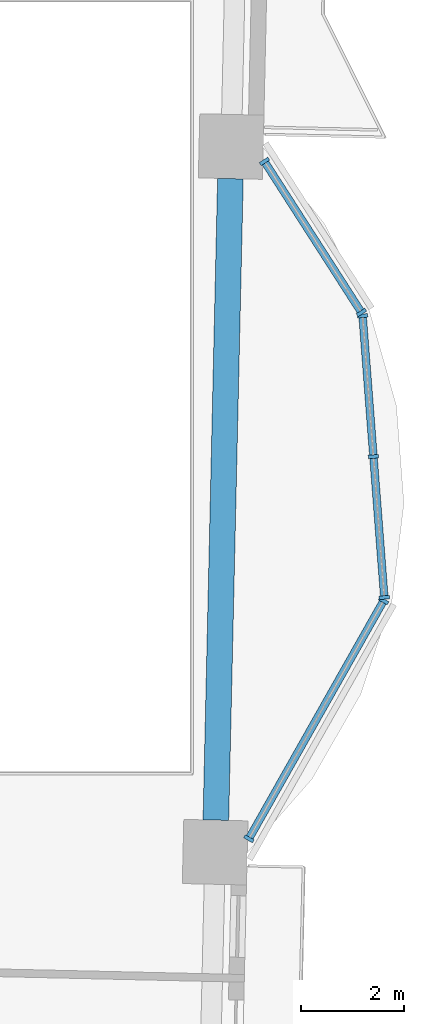
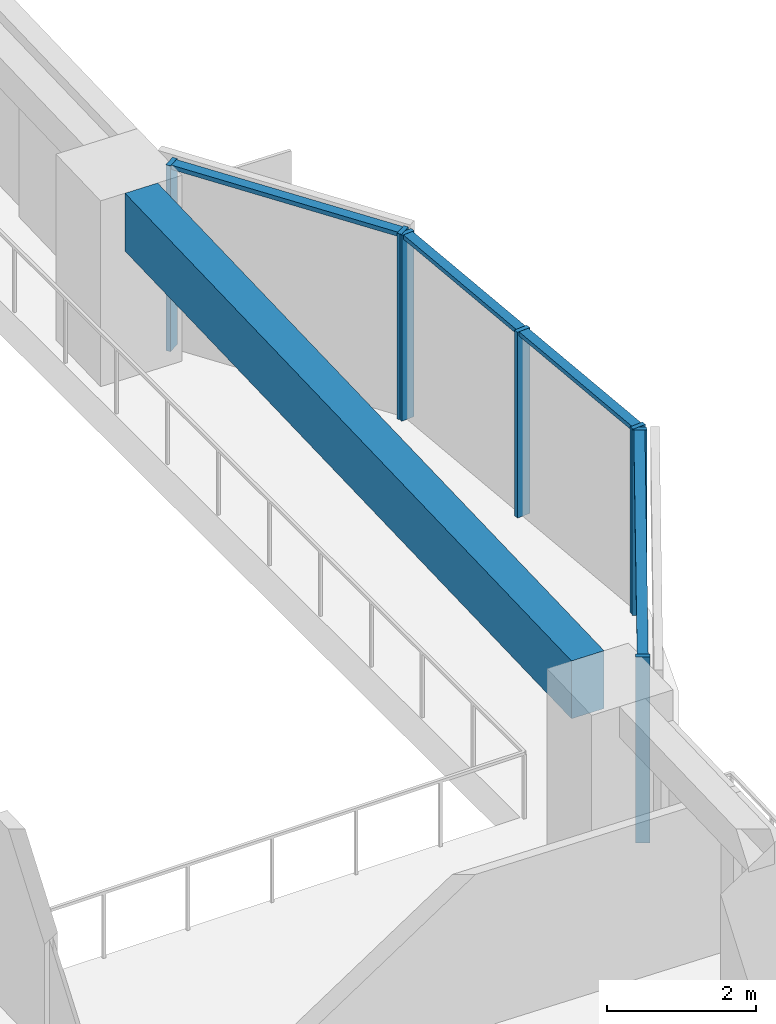
# One storey, part 2 of 15: 11 members, 1 beam, 3 elements without a shape of their own.
"""IFC4 building model written with IfcOpenShell, lengths in metres."""

from ifc_helpers import new_model, si_unit, direction, frame, origin, origin_2d, place, context, subcontext, project, spatial, rectangle, extrude, material, material_profile, profile_set, type_object, element, aggregate, save


model = new_model("IFC4")

# Units and contexts
model_context = context("Model", 3, precision=1e-05, world=origin(), true_north=direction((0.0, 1.0)))
body_context = subcontext(model_context, "Body", "Model", "MODEL_VIEW")
ifc_project = project(units=[si_unit("LENGTHUNIT", "METRE"), si_unit("AREAUNIT", "SQUARE_METRE"), si_unit("VOLUMEUNIT", "CUBIC_METRE"), si_unit("PLANEANGLEUNIT", "RADIAN"), si_unit("MASSUNIT", "GRAM", prefix="KILO")], contexts=[model_context])

# Site, building, storey
site_placement = place(None, origin())
site = spatial("IfcSite", under=ifc_project, at=site_placement, CompositionType="ELEMENT")
building_placement = place(site_placement, origin())
building = spatial("IfcBuilding", under=site, at=building_placement, Name="Mangrove Gate Tower", CompositionType="ELEMENT")
storey_placement = place(building_placement, frame((0.0, 0.0, 156.300048828125)))
storey = spatial("IfcBuildingStorey", under=building, at=storey_placement, Name="L39", CompositionType="ELEMENT", Elevation=156.300048828125)

# Curtain wall, members
ifc_material_1 = material(Name="Aluminium and glass curtain wall", Category="aluminium")
curtain_wall_type = type_object("IfcCurtainWallType", Name="Atrium garden-court glazing wall", PredefinedType="NOTDEFINED", material=ifc_material_1)
curtain_wall_1_placement = place(storey_placement, origin())
curtain_wall_1 = element("IfcCurtainWall", 1, at=curtain_wall_1_placement, inside=storey, type_object=curtain_wall_type, Name="Atrium garden-court glazing E1f1", PredefinedType="NOTDEFINED")
ifc_material_2 = material(Name="Aluminium alloy 6063-T6", Category="aluminium")
ifc_material_profile_1 = material_profile(ifc_material_2, rectangle(XDim=0.070068359375, YDim=0.199951171875, at=origin_2d()))
ifc_profile_set_1 = profile_set([ifc_material_profile_1], Name="Aluminium alloy 6063-T6")
member_type_1 = type_object("IfcMemberType", Name="Atrium garden-court glazing mullion 70x200", PredefinedType="MULLION", material=ifc_profile_set_1)
member_1_placement = place(storey_placement, frame((26.11083984375, -8.806884765625, 0.0), z_axis=(0.0, 0.0, 1.0), x_axis=(0.492564461279, 0.870275962833, 0.0)))
member_1 = element("IfcMember", 2, at=member_1_placement, type_object=member_type_1, Name="CWA mullion 1", PredefinedType="MULLION", context=body_context, shape_type="SweptSolid", body=[
    extrude(rectangle(XDim=0.070068359375, YDim=0.199951171875, at=origin_2d()), origin(), (0.0, 0.0, 1.0), 3.050048828125),
])
member_2_placement = place(storey_placement, frame((28.73486328125, -4.17041015625, 0.0), z_axis=(0.0, 0.0, 1.0), x_axis=(0.492564461279, 0.870275962833, 0.0)))
member_2 = element("IfcMember", 3, at=member_2_placement, type_object=member_type_1, Name="CWA mullion 2", PredefinedType="MULLION", context=body_context, shape_type="SweptSolid", body=[
    extrude(rectangle(XDim=0.070068359375, YDim=0.199951171875, at=origin_2d()), origin(), (0.0, 0.0, 1.0), 3.050048828125),
])

curtain_wall_2_placement = place(storey_placement, origin())
curtain_wall_2 = element("IfcCurtainWall", 4, at=curtain_wall_2_placement, inside=storey, type_object=curtain_wall_type, Name="Atrium garden-court glazing E1f2", PredefinedType="NOTDEFINED")
member_3_placement = place(storey_placement, frame((28.74951171875, -4.105224609375, 0.0), z_axis=(0.0, 0.0, 1.0), x_axis=(-0.077023348403, 0.997029289339, 0.0)))
member_3 = element("IfcMember", 5, at=member_3_placement, type_object=member_type_1, Name="CWA mullion 1", PredefinedType="MULLION", context=body_context, shape_type="SweptSolid", body=[
    extrude(rectangle(XDim=0.070068359375, YDim=0.199951171875, at=origin_2d()), origin(), (0.0, 0.0, 1.0), 3.050048828125),
])
member_4_placement = place(storey_placement, frame((28.53759765625, -1.361572265625, 0.0), z_axis=(0.0, 0.0, 1.0), x_axis=(-0.077023348403, 0.997029289339, 0.0)))
member_4 = element("IfcMember", 6, at=member_4_placement, type_object=member_type_1, Name="CWA mullion 2", PredefinedType="MULLION", context=body_context, shape_type="SweptSolid", body=[
    extrude(rectangle(XDim=0.070068359375, YDim=0.199951171875, at=origin_2d()), origin(), (0.0, 0.0, 1.0), 3.050048828125),
])
member_5_placement = place(storey_placement, frame((28.32568359375, 1.382080078125, 0.0), z_axis=(0.0, 0.0, 1.0), x_axis=(-0.077023348403, 0.997029289339, 0.0)))
member_5 = element("IfcMember", 7, at=member_5_placement, type_object=member_type_1, Name="CWA mullion 3", PredefinedType="MULLION", context=body_context, shape_type="SweptSolid", body=[
    extrude(rectangle(XDim=0.070068359375, YDim=0.199951171875, at=origin_2d()), origin(), (0.0, 0.0, 1.0), 3.050048828125),
])

curtain_wall_3_placement = place(storey_placement, origin())
curtain_wall_3 = element("IfcCurtainWall", 8, at=curtain_wall_3_placement, inside=storey, type_object=curtain_wall_type, Name="Atrium garden-court glazing E1f3", PredefinedType="NOTDEFINED")
member_6_placement = place(storey_placement, frame((28.303955078125, 1.4462890625, 0.0), z_axis=(0.0, 0.0, 1.0), x_axis=(-0.540496322894, 0.841346376315, 0.0)))
member_6 = element("IfcMember", 9, at=member_6_placement, type_object=member_type_1, Name="CWA mullion 1", PredefinedType="MULLION", context=body_context, shape_type="SweptSolid", body=[
    extrude(rectangle(XDim=0.070068359375, YDim=0.199951171875, at=origin_2d()), origin(), (0.0, 0.0, 1.0), 3.050048828125),
])
member_7_placement = place(storey_placement, frame((26.413330078125, 4.389404296875, 0.0), z_axis=(0.0, 0.0, 1.0), x_axis=(-0.540496322894, 0.841346376315, 0.0)))
member_7 = element("IfcMember", 10, at=member_7_placement, type_object=member_type_1, Name="CWA mullion 2", PredefinedType="MULLION", context=body_context, shape_type="SweptSolid", body=[
    extrude(rectangle(XDim=0.070068359375, YDim=0.199951171875, at=origin_2d()), origin(), (0.0, 0.0, 1.0), 3.050048828125),
])

# Member
ifc_material_3 = material(Name="Aluminium alloy 6063-T6", Category="aluminium")
ifc_material_profile_2 = material_profile(ifc_material_3, rectangle(XDim=0.070068359375, YDim=0.14990234375, at=origin_2d()))
ifc_profile_set_2 = profile_set([ifc_material_profile_2], Name="Aluminium alloy 6063-T6")
member_type_2 = type_object("IfcMemberType", Name="Atrium garden-court glazing transom 70x150", PredefinedType="USERDEFINED", material=ifc_profile_set_2)
member_8_placement = place(storey_placement, frame((26.128173828125, -8.7763671875, 3.014892578125), z_axis=(0.4925590689, 0.870279014825, 0.0), x_axis=(0.0, 0.0, 1.0)))
member_8 = element("IfcMember", 11, at=member_8_placement, type_object=member_type_2, Name="CWA transom 1.2", ObjectType="TRANSOM", PredefinedType="USERDEFINED", context=body_context, shape_type="SweptSolid", body=[
    extrude(rectangle(XDim=0.070068359375, YDim=0.14990234375, at=origin_2d()), origin(), (0.0, 0.0, 1.0), 5.25732421875),
])

aggregate(curtain_wall_1, [member_1, member_2, member_8])

member_9_placement = place(storey_placement, frame((28.746826171875, -4.0703125, 3.014892578125), z_axis=(-0.07701672858, 0.997029800718, 0.0), x_axis=(0.0, 0.0, 1.0)))
member_9 = element("IfcMember", 12, at=member_9_placement, type_object=member_type_2, Name="CWA transom 1.2", ObjectType="TRANSOM", PredefinedType="USERDEFINED", context=body_context, shape_type="SweptSolid", body=[
    extrude(rectangle(XDim=0.070068359375, YDim=0.14990234375, at=origin_2d()), origin(), (0.0, 0.0, 1.0), 2.681884765625),
])

member_10_placement = place(storey_placement, frame((28.534912109375, -1.32666015625, 3.014892578125), z_axis=(-0.07701672858, 0.997029800718, 0.0), x_axis=(0.0, 0.0, 1.0)))
member_10 = element("IfcMember", 13, at=member_10_placement, type_object=member_type_2, Name="CWA transom 2.2", ObjectType="TRANSOM", PredefinedType="USERDEFINED", context=body_context, shape_type="SweptSolid", body=[
    extrude(rectangle(XDim=0.070068359375, YDim=0.14990234375, at=origin_2d()), origin(), (0.0, 0.0, 1.0), 2.681884765625),
])

aggregate(curtain_wall_2, [member_3, member_4, member_5, member_9, member_10])

member_11_placement = place(storey_placement, frame((28.28515625, 1.475830078125, 3.014892578125), z_axis=(-0.540501990771, 0.84134273514, 0.0), x_axis=(0.0, 0.0, 1.0)))
member_11 = element("IfcMember", 14, at=member_11_placement, type_object=member_type_2, Name="CWA transom 1.2", ObjectType="TRANSOM", PredefinedType="USERDEFINED", context=body_context, shape_type="SweptSolid", body=[
    extrude(rectangle(XDim=0.070068359375, YDim=0.14990234375, at=origin_2d()), origin(), (0.0, 0.0, 1.0), 3.427978515625),
])

aggregate(curtain_wall_3, [member_6, member_7, member_11])

# Beam
ifc_material_4 = material(Name="Concrete C50/60", Category="concrete")
ifc_material_profile_3 = material_profile(ifc_material_4, rectangle(XDim=0.5, YDim=0.949951171875, at=origin_2d()))
ifc_profile_set_3 = profile_set([ifc_material_profile_3], Name="Concrete C50/60")
beam_type = type_object("IfcBeamType", Name="Edge beam RC 500x950 C50/60", PredefinedType="BEAM", material=ifc_profile_set_3)
beam_placement = place(storey_placement, frame((25.46728515625, -8.44384765625, 2.574951171875), z_axis=(0.022693013796, 0.999742480404, 0.0), x_axis=(-0.999742480404, 0.022693013796, 0.0)))
element("IfcBeam", 15, at=beam_placement, inside=storey, type_object=beam_type, Name="Edge beam L39 14", PredefinedType="BEAM", context=body_context, shape_type="SweptSolid", body=[
    extrude(rectangle(XDim=0.5, YDim=0.949951171875, at=origin_2d()), origin(), (0.0, 0.0, 1.0), 12.501220703125),
])

save(model, "model.ifc")
